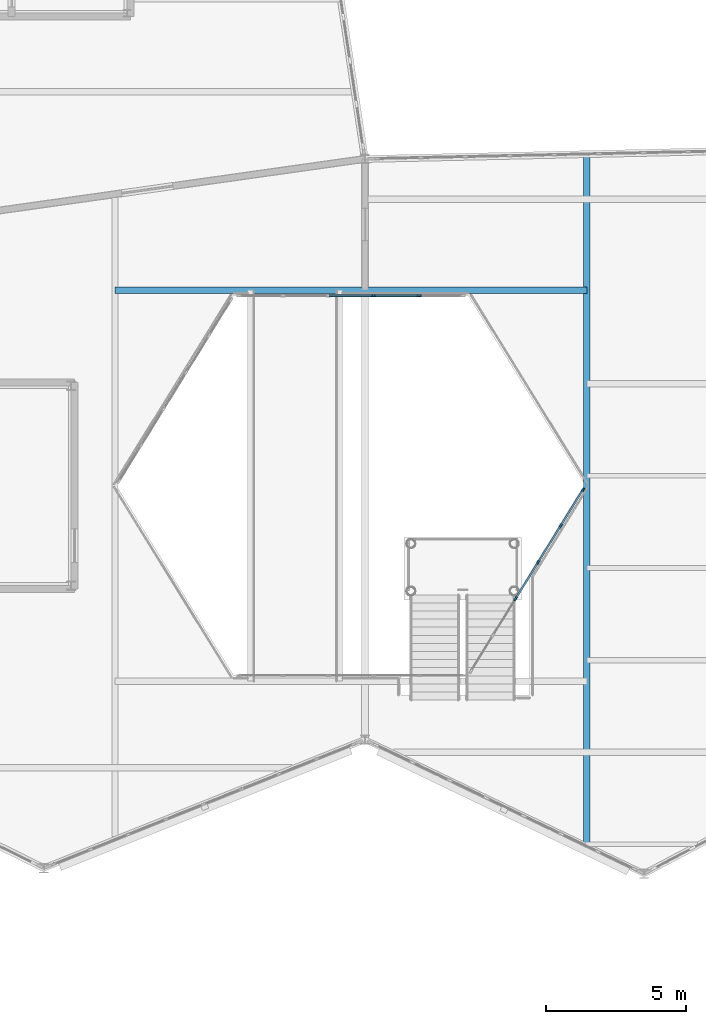
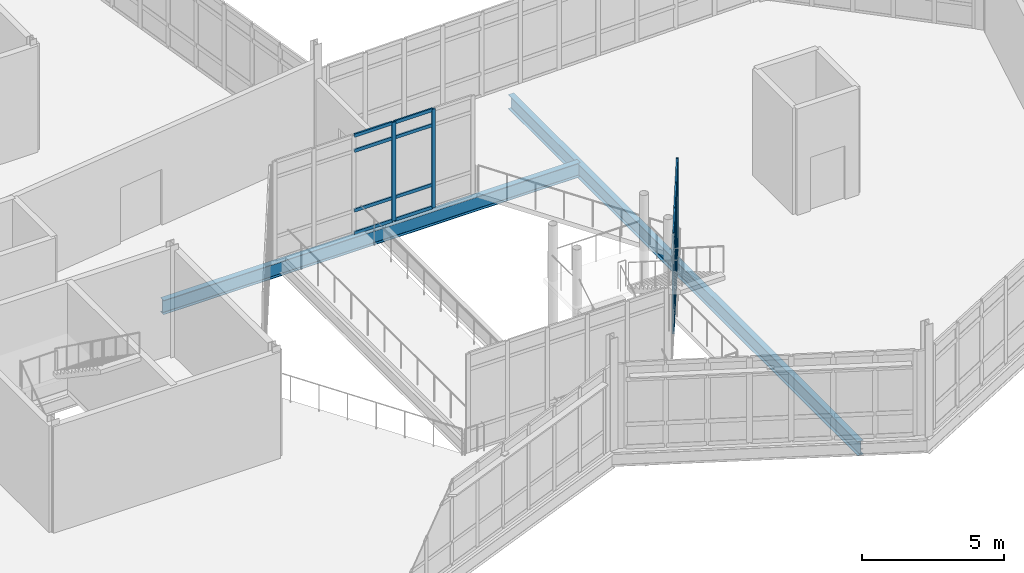
# One storey, part 35 of 114: 26 members, 2 beams, 2 elements without a shape of their own.
"""IFC4 building model written with IfcOpenShell, lengths in metres."""

import ifcopenshell
import ifcopenshell.guid

model = None  # the IFC model being written
_history = None  # IfcOwnerHistory: only IFC2X3 demands one
_inside = {}  # id of a spatial element -> (the spatial element, [elements in it])
_under = {}  # id of a project, library or spatial element -> (it, [spatial elements below it])
_declared = {}  # id of a project -> (the project, [libraries it declares])
_typed = {}  # id of a type object -> (the type object, [elements of that type])
_made_of = {}  # id of a material, layer set ... -> (it, [elements and type objects made of it])


def new_model(schema):
    """Start an empty IFC model of exactly this schema.

    Asked for "IFC4X3", IfcOpenShell would pick the latest addendum, in which some entities
    have other attributes; the version numbers below select the first issue.
    IFC2X3 requires an IfcOwnerHistory on every rooted entity: one is made here for all.
    """
    global model, _history
    if schema == "IFC4X3":
        model = ifcopenshell.file(schema_version=(4, 3, 0, 0))
    else:
        model = ifcopenshell.file(schema=schema)
    _inside.clear()
    _under.clear()
    _declared.clear()
    _typed.clear()
    _made_of.clear()
    _history = None
    if model.schema == "IFC2X3":
        org = make("IfcOrganization", Name="unknown")
        user = make(
            "IfcPersonAndOrganization",
            ThePerson=make("IfcPerson", FamilyName="unknown"),
            TheOrganization=org,
        )
        app = make(
            "IfcApplication",
            ApplicationDeveloper=org,
            Version="unknown",
            ApplicationFullName="unknown",
            ApplicationIdentifier="unknown",
        )
        _history = make(
            "IfcOwnerHistory",
            OwningUser=user,
            OwningApplication=app,
            ChangeAction="ADDED",
            CreationDate=0,
        )
    return model


def make(cls, **values):
    """One entity of the class cls with the attributes given. An attribute that is None is left unset."""
    return model.create_entity(
        cls, **{name: value for name, value in values.items() if value is not None}
    )


def rooted(cls, **values):
    """An entity with a GlobalId (a new one), such as an element, a storey or a relation."""
    return make(cls, GlobalId=ifcopenshell.guid.new(), OwnerHistory=_history, **values)


def si_unit(unit_type, name, prefix=None):
    """IfcSIUnit, for example si_unit("LENGTHUNIT", "METRE", prefix="MILLI")."""
    return make("IfcSIUnit", UnitType=unit_type, Prefix=prefix, Name=name)


def assignment(units):
    """IfcUnitAssignment: the units of a project."""
    return None if units is None else make("IfcUnitAssignment", Units=units)


def point(xyz):
    """IfcCartesianPoint."""
    return None if xyz is None else make("IfcCartesianPoint", Coordinates=xyz)


def direction(xyz):
    """IfcDirection."""
    return None if xyz is None else make("IfcDirection", DirectionRatios=xyz)


def frame(location, z_axis=None, x_axis=None):
    """IfcAxis2Placement3D, a coordinate frame: its origin and axes. An axis left out is left unset."""
    return make(
        "IfcAxis2Placement3D",
        Location=point(location),
        Axis=direction(z_axis),
        RefDirection=direction(x_axis),
    )


def frame_2d(location, x_axis=None):
    """IfcAxis2Placement2D, a coordinate frame in the plane: its origin and x axis."""
    return make(
        "IfcAxis2Placement2D", Location=point(location), RefDirection=direction(x_axis)
    )


def origin():
    """The frame at (0, 0, 0) with its axes left unset."""
    return frame((0.0, 0.0, 0.0))


def origin_2d():
    """The frame at (0, 0) in the plane with its x axis left unset."""
    return frame_2d((0.0, 0.0))


def place(relative_to, where):
    """IfcLocalPlacement: puts the frame where relative to a parent placement (None: the world)."""
    return make(
        "IfcLocalPlacement", PlacementRelTo=relative_to, RelativePlacement=where
    )


def context(
    kind, dimensions, precision=None, world=None, true_north=None, identifier=None
):
    """IfcGeometricRepresentationContext, for example the 3D "Model" context."""
    return make(
        "IfcGeometricRepresentationContext",
        ContextIdentifier=identifier,
        ContextType=kind,
        CoordinateSpaceDimension=dimensions,
        Precision=precision,
        WorldCoordinateSystem=world,
        TrueNorth=true_north,
    )


def subcontext(parent, identifier, kind, view, scale=None):
    """IfcGeometricRepresentationSubContext, for example "Body" below "Model"."""
    return make(
        "IfcGeometricRepresentationSubContext",
        ContextIdentifier=identifier,
        ContextType=kind,
        ParentContext=parent,
        TargetScale=scale,
        TargetView=view,
    )


def project(units=None, contexts=None):
    """IfcProject with its units and contexts."""
    return rooted(
        "IfcProject",
        Name="project",
        RepresentationContexts=contexts,
        UnitsInContext=assignment(units),
    )


def spatial(cls, under=None, at=None, **own):
    """A site, building, storey or space (cls), placed at a placement, below another one or the project."""
    s = rooted(cls, ObjectPlacement=at, **own)
    if under is not None:
        _under.setdefault(under.id(), (under, []))[1].append(s)
    return s


def profile(cls, at=None, kind="AREA", **sizes):
    """A parametric profile (cls). Its sizes go by their IFC names, for example OverallWidth=200.0."""
    return make(cls, ProfileType=kind, Position=at, **sizes)


def rectangle(**sizes):
    """IfcRectangleProfileDef."""
    return profile("IfcRectangleProfileDef", **sizes)


def i_section(**sizes):
    """IfcIShapeProfileDef."""
    return profile("IfcIShapeProfileDef", **sizes)


def extrude(swept, where, along, depth):
    """IfcExtrudedAreaSolid: the profile swept, set in the frame where, extruded along a direction by depth."""
    return make(
        "IfcExtrudedAreaSolid",
        SweptArea=swept,
        Position=where,
        ExtrudedDirection=direction(along),
        Depth=depth,
    )


def shape(context_of_items, identifier, shape_type, items):
    """IfcShapeRepresentation: the items that make up one representation, for example the "Body"."""
    return make(
        "IfcShapeRepresentation",
        ContextOfItems=context_of_items,
        RepresentationIdentifier=identifier,
        RepresentationType=shape_type,
        Items=items,
    )


def material(Name=None, Category=None):
    """IfcMaterial."""
    return make("IfcMaterial", Name=Name, Category=Category)


def material_profile(
    of_material, cross_section, Name=None, Category=None, Priority=None
):
    """IfcMaterialProfile: a cross section and its material."""
    return make(
        "IfcMaterialProfile",
        Name=Name,
        Material=of_material,
        Profile=cross_section,
        Priority=Priority,
        Category=Category,
    )


def profile_set(profiles, Name=None, composite=None):
    """IfcMaterialProfileSet."""
    return make(
        "IfcMaterialProfileSet",
        Name=Name,
        MaterialProfiles=profiles,
        CompositeProfile=composite,
    )


def made_of(thing, what):
    """Note that an element or type object is made of a material, layer set ...; save() writes the relation."""
    if what is not None:
        _made_of.setdefault(what.id(), (what, []))[1].append(thing)
    return thing


def type_object(cls, material=None, **own):
    """A type object (cls), such as IfcWallType, which elements share."""
    return made_of(rooted(cls, **own), material)


def element(
    cls,
    number,
    at=None,
    inside=None,
    cuts=None,
    type_object=None,
    material=None,
    context=None,
    identifier="Body",
    shape_type=None,
    held_by="IfcProductDefinitionShape",
    body=None,
    shapes=None,
    **own,
):
    """One element of the class cls, such as IfcWall. Its Tag is "e" and its number.

    at: its placement. inside: the storey or other place that contains it. cuts: it is an
    opening in that element (IfcRelVoidsElement). A single representation is given by context,
    identifier, shape_type and body (its items); several are given by shapes. held_by: the class
    of the entity that holds the representations. save() writes the other relations.
    """
    e = rooted(cls, Tag="e%d" % number, ObjectPlacement=at, **own)
    if body is not None:
        shapes = [shape(context, identifier, shape_type, body)]
    if shapes is not None:
        e.Representation = make(held_by, Representations=shapes)
    if inside is not None:
        _inside.setdefault(inside.id(), (inside, []))[1].append(e)
    if cuts is not None:
        rooted(
            "IfcRelVoidsElement", RelatingBuildingElement=cuts, RelatedOpeningElement=e
        )
    if type_object is not None:
        _typed.setdefault(type_object.id(), (type_object, []))[1].append(e)
    return made_of(e, material)


def aggregate(whole, parts):
    """IfcRelAggregates: a whole, such as a stair, and the parts it consists of."""
    return rooted("IfcRelAggregates", RelatingObject=whole, RelatedObjects=parts)


def save(model, path):
    """Write the relations noted so far, then the file.

    IfcRelAggregates (storeys below a building ...), IfcRelContainedInSpatialStructure (elements
    in a storey), IfcRelDefinesByType, IfcRelAssociatesMaterial and IfcRelDeclares: one each for
    every whole, place, type object, material and project.
    """
    for whole, parts in _under.values():
        aggregate(whole, parts)
    for where, things in _inside.values():
        rooted(
            "IfcRelContainedInSpatialStructure",
            RelatedElements=things,
            RelatingStructure=where,
        )
    for kind, things in _typed.values():
        rooted("IfcRelDefinesByType", RelatedObjects=things, RelatingType=kind)
    for what, things in _made_of.values():
        rooted("IfcRelAssociatesMaterial", RelatedObjects=things, RelatingMaterial=what)
    for by, libraries in _declared.values():
        rooted("IfcRelDeclares", RelatingContext=by, RelatedDefinitions=libraries)
    model.write(path)


model = new_model("IFC4")

# Units and contexts
model_context = context("Model", 3, precision=1e-05, world=origin(), true_north=direction((0.0, 1.0)))
body_context = subcontext(model_context, "Body", "Model", "MODEL_VIEW")
ifc_project = project(units=[si_unit("LENGTHUNIT", "METRE"), si_unit("AREAUNIT", "SQUARE_METRE"), si_unit("VOLUMEUNIT", "CUBIC_METRE"), si_unit("PLANEANGLEUNIT", "RADIAN"), si_unit("MASSUNIT", "GRAM", prefix="KILO")], contexts=[model_context])

# Site, building, storey
site_placement = place(None, origin())
site = spatial("IfcSite", under=ifc_project, at=site_placement, CompositionType="ELEMENT")
building_placement = place(site_placement, origin())
building = spatial("IfcBuilding", under=site, at=building_placement, Name="Tameran Prism Museum", CompositionType="ELEMENT")
storey_placement = place(building_placement, frame((0.0, 0.0, 10.199951171875)))
storey = spatial("IfcBuildingStorey", under=building, at=storey_placement, Name="L02", CompositionType="ELEMENT", Elevation=10.199951171875)

# Beams
ifc_material_1 = material(Name="Steel Grade 300PLUS (300 MPa)", Category="steel")
ifc_material_profile_1 = material_profile(ifc_material_1, i_section(OverallWidth=0.22900390625, OverallDepth=0.612060546875, WebThickness=0.011962890625, FlangeThickness=0.01953125, FilletRadius=0.013916015625, at=origin_2d()))
ifc_profile_set_1 = profile_set([ifc_material_profile_1])
beam_type = type_object("IfcBeamType", Name="BM-UB610A", PredefinedType="BEAM", material=ifc_profile_set_1)
beam_1_placement = place(storey_placement, frame((68.550048828125, 43.5, -0.5458984375), z_axis=(1.0, 0.0, 0.0), x_axis=(0.0, 1.0, 0.0)))
element("IfcBeam", 1, at=beam_1_placement, inside=storey, type_object=beam_type, Name="Atrium Transverse Trimmer ATE-0806", PredefinedType="BEAM", context=body_context, shape_type="SweptSolid", body=[
    extrude(i_section(OverallWidth=0.22900390625, OverallDepth=0.612060546875, WebThickness=0.011962890625, FlangeThickness=0.01953125, FilletRadius=0.013916015625, at=origin_2d()), origin(), (0.0, 0.0, 1.0), 16.89990234375),
])
beam_2_placement = place(storey_placement, frame((85.449951171875, 23.7060546875, -0.5458984375), z_axis=(0.0, 1.0, 0.0), x_axis=(-1.0, 0.0, 0.0)))
element("IfcBeam", 2, at=beam_2_placement, inside=storey, type_object=beam_type, Name="Atrium Opening Trimmer Girder AT-0808", PredefinedType="BEAM", context=body_context, shape_type="SweptSolid", body=[
    extrude(i_section(OverallWidth=0.22900390625, OverallDepth=0.612060546875, WebThickness=0.011962890625, FlangeThickness=0.01953125, FilletRadius=0.013916015625, at=origin_2d()), origin(), (0.0, 0.0, 1.0), 24.557861328125),
])

# Curtain wall, members
ifc_material_2 = material(Name="Anodised Aluminium 6063-T6 and Cyclone Solar Glass", Category="aluminium")
curtain_wall_type_1 = type_object("IfcCurtainWallType", Name="CW-ATR-769x424", PredefinedType="USERDEFINED", material=ifc_material_2)
curtain_wall_1_placement = place(storey_placement, origin())
curtain_wall_1 = element("IfcCurtainWall", 3, at=curtain_wall_1_placement, inside=storey, type_object=curtain_wall_type_1, Name="Unitised Curtain Wall CW-008", ObjectType="UNITISED CURTAIN WALL", PredefinedType="USERDEFINED")
ifc_material_3 = material(Name="Anodised Aluminium Alloy 6063-T6", Category="aluminium")
ifc_material_profile_2 = material_profile(ifc_material_3, rectangle(XDim=0.06494140625, YDim=0.159912109375, at=origin_2d()))
ifc_profile_set_2 = profile_set([ifc_material_profile_2])
member_type_1 = type_object("IfcMemberType", Name="CW-MUL-A", PredefinedType="MULLION", material=ifc_profile_set_2)
member_1_placement = place(storey_placement, frame((82.895751953125, 32.445556640625, 0.0), z_axis=(0.0, 0.0, 1.0), x_axis=(-0.850791158897, 0.525503952357, 0.0)))
member_1 = element("IfcMember", 4, at=member_1_placement, type_object=member_type_1, Name="CW-008 mullion 3", PredefinedType="MULLION", context=body_context, shape_type="SweptSolid", body=[
    extrude(rectangle(XDim=0.06494140625, YDim=0.159912109375, at=origin_2d()), origin(), (0.0, 0.0, 1.0), 4.239990234375),
])
member_2_placement = place(storey_placement, frame((83.7041015625, 33.75439453125, 0.0), z_axis=(0.0, 0.0, 1.0), x_axis=(-0.850791158897, 0.525503952357, 0.0)))
member_2 = element("IfcMember", 5, at=member_2_placement, type_object=member_type_1, Name="CW-008 mullion 4", PredefinedType="MULLION", context=body_context, shape_type="SweptSolid", body=[
    extrude(rectangle(XDim=0.06494140625, YDim=0.159912109375, at=origin_2d()), origin(), (0.0, 0.0, 1.0), 4.239990234375),
])
member_3_placement = place(storey_placement, frame((84.5126953125, 35.063232421875, 0.0), z_axis=(0.0, 0.0, 1.0), x_axis=(-0.850791158897, 0.525503952357, 0.0)))
member_3 = element("IfcMember", 6, at=member_3_placement, type_object=member_type_1, Name="CW-008 mullion 5", PredefinedType="MULLION", context=body_context, shape_type="SweptSolid", body=[
    extrude(rectangle(XDim=0.06494140625, YDim=0.159912109375, at=origin_2d()), origin(), (0.0, 0.0, 1.0), 4.239990234375),
])
member_4_placement = place(storey_placement, frame((85.303955078125, 36.34423828125, 0.0), z_axis=(0.0, 0.0, 1.0), x_axis=(-0.850791158897, 0.525503952357, 0.0)))
member_4 = element("IfcMember", 7, at=member_4_placement, type_object=member_type_1, Name="CW-008 mullion 6", PredefinedType="MULLION", context=body_context, shape_type="SweptSolid", body=[
    extrude(rectangle(XDim=0.06494140625, YDim=0.159912109375, at=origin_2d()), origin(), (0.0, 0.0, 1.0), 4.239990234375),
])

ifc_material_4 = material(Name="Anodised Aluminium 6063-T6 and Cyclone Solar Glass", Category="aluminium")
curtain_wall_type_2 = type_object("IfcCurtainWallType", Name="CW-ATR-810x424", PredefinedType="USERDEFINED", material=ifc_material_4)
curtain_wall_2_placement = place(storey_placement, origin())
curtain_wall_2 = element("IfcCurtainWall", 8, at=curtain_wall_2_placement, inside=storey, type_object=curtain_wall_type_2, Name="Unitised Curtain Wall CW-009", ObjectType="UNITISED CURTAIN WALL", PredefinedType="USERDEFINED")
member_5_placement = place(storey_placement, frame((79.429931640625, 43.300048828125, 0.0), z_axis=(0.0, 0.0, 1.0), x_axis=(0.0, -1.0, 0.0)))
member_5 = element("IfcMember", 9, at=member_5_placement, type_object=member_type_1, Name="CW-009 mullion 2", PredefinedType="MULLION", context=body_context, shape_type="SweptSolid", body=[
    extrude(rectangle(XDim=0.06494140625, YDim=0.159912109375, at=origin_2d()), origin(), (0.0, 0.0, 1.0), 4.239990234375),
])
member_6_placement = place(storey_placement, frame((77.81005859375, 43.300048828125, 0.0), z_axis=(0.0, 0.0, 1.0), x_axis=(0.0, -1.0, 0.0)))
member_6 = element("IfcMember", 10, at=member_6_placement, type_object=member_type_1, Name="CW-009 mullion 3", PredefinedType="MULLION", context=body_context, shape_type="SweptSolid", body=[
    extrude(rectangle(XDim=0.06494140625, YDim=0.159912109375, at=origin_2d()), origin(), (0.0, 0.0, 1.0), 4.239990234375),
])

# Member
ifc_material_5 = material(Name="Anodised Aluminium Alloy 6063-T6", Category="aluminium")
ifc_material_profile_3 = material_profile(ifc_material_5, rectangle(XDim=0.06494140625, YDim=0.139892578125, at=origin_2d()))
ifc_profile_set_3 = profile_set([ifc_material_profile_3])
member_type_2 = type_object("IfcMemberType", Name="CW-TRN-A", PredefinedType="USERDEFINED", material=ifc_profile_set_3)
member_7_placement = place(storey_placement, frame((82.912841796875, 32.47314453125, 0.032470703125), z_axis=(0.525418798442, 0.850843749606, 0.0), x_axis=(-0.850843749606, 0.525418798442, 0.0)))
member_7 = element("IfcMember", 11, at=member_7_placement, type_object=member_type_2, Name="CW-008 transom 3.1", ObjectType="TRANSOM", PredefinedType="USERDEFINED", context=body_context, shape_type="SweptSolid", body=[
    extrude(rectangle(XDim=0.06494140625, YDim=0.139892578125, at=origin_2d()), origin(), (0.0, 0.0, 1.0), 1.473388671875),
])

member_8_placement = place(storey_placement, frame((82.912841796875, 32.47314453125, 1.0), z_axis=(0.525418798442, 0.850843749606, 0.0), x_axis=(-0.850843749606, 0.525418798442, 0.0)))
member_8 = element("IfcMember", 12, at=member_8_placement, type_object=member_type_2, Name="CW-008 transom 3.2", ObjectType="TRANSOM", PredefinedType="USERDEFINED", context=body_context, shape_type="SweptSolid", body=[
    extrude(rectangle(XDim=0.06494140625, YDim=0.139892578125, at=origin_2d()), origin(), (0.0, 0.0, 1.0), 1.473388671875),
])

member_9_placement = place(storey_placement, frame((82.912841796875, 32.47314453125, 3.56005859375), z_axis=(0.525418798442, 0.850843749606, 0.0), x_axis=(-0.850843749606, 0.525418798442, 0.0)))
member_9 = element("IfcMember", 13, at=member_9_placement, type_object=member_type_2, Name="CW-008 transom 3.3", ObjectType="TRANSOM", PredefinedType="USERDEFINED", context=body_context, shape_type="SweptSolid", body=[
    extrude(rectangle(XDim=0.06494140625, YDim=0.139892578125, at=origin_2d()), origin(), (0.0, 0.0, 1.0), 1.473388671875),
])

member_10_placement = place(storey_placement, frame((82.912841796875, 32.47314453125, 4.20751953125), z_axis=(0.525418798442, 0.850843749606, 0.0), x_axis=(-0.850843749606, 0.525418798442, 0.0)))
member_10 = element("IfcMember", 14, at=member_10_placement, type_object=member_type_2, Name="CW-008 transom 3.4", ObjectType="TRANSOM", PredefinedType="USERDEFINED", context=body_context, shape_type="SweptSolid", body=[
    extrude(rectangle(XDim=0.06494140625, YDim=0.139892578125, at=origin_2d()), origin(), (0.0, 0.0, 1.0), 1.473388671875),
])

member_11_placement = place(storey_placement, frame((83.72119140625, 33.781982421875, 0.032470703125), z_axis=(0.525538735192, 0.850769673774, 0.0), x_axis=(-0.850769673774, 0.525538735192, 0.0)))
member_11 = element("IfcMember", 15, at=member_11_placement, type_object=member_type_2, Name="CW-008 transom 4.1", ObjectType="TRANSOM", PredefinedType="USERDEFINED", context=body_context, shape_type="SweptSolid", body=[
    extrude(rectangle(XDim=0.06494140625, YDim=0.139892578125, at=origin_2d()), origin(), (0.0, 0.0, 1.0), 1.4736328125),
])

member_12_placement = place(storey_placement, frame((83.72119140625, 33.781982421875, 1.0), z_axis=(0.525538735192, 0.850769673774, 0.0), x_axis=(-0.850769673774, 0.525538735192, 0.0)))
member_12 = element("IfcMember", 16, at=member_12_placement, type_object=member_type_2, Name="CW-008 transom 4.2", ObjectType="TRANSOM", PredefinedType="USERDEFINED", context=body_context, shape_type="SweptSolid", body=[
    extrude(rectangle(XDim=0.06494140625, YDim=0.139892578125, at=origin_2d()), origin(), (0.0, 0.0, 1.0), 1.4736328125),
])

member_13_placement = place(storey_placement, frame((83.72119140625, 33.781982421875, 3.56005859375), z_axis=(0.525538735192, 0.850769673774, 0.0), x_axis=(-0.850769673774, 0.525538735192, 0.0)))
member_13 = element("IfcMember", 17, at=member_13_placement, type_object=member_type_2, Name="CW-008 transom 4.3", ObjectType="TRANSOM", PredefinedType="USERDEFINED", context=body_context, shape_type="SweptSolid", body=[
    extrude(rectangle(XDim=0.06494140625, YDim=0.139892578125, at=origin_2d()), origin(), (0.0, 0.0, 1.0), 1.4736328125),
])

member_14_placement = place(storey_placement, frame((83.72119140625, 33.781982421875, 4.20751953125), z_axis=(0.525538735192, 0.850769673774, 0.0), x_axis=(-0.850769673774, 0.525538735192, 0.0)))
member_14 = element("IfcMember", 18, at=member_14_placement, type_object=member_type_2, Name="CW-008 transom 4.4", ObjectType="TRANSOM", PredefinedType="USERDEFINED", context=body_context, shape_type="SweptSolid", body=[
    extrude(rectangle(XDim=0.06494140625, YDim=0.139892578125, at=origin_2d()), origin(), (0.0, 0.0, 1.0), 1.4736328125),
])

member_15_placement = place(storey_placement, frame((84.52978515625, 35.0908203125, 0.032470703125), z_axis=(0.525467627301, 0.850813594543, 0.0), x_axis=(-0.850813594543, 0.525467627301, 0.0)))
member_15 = element("IfcMember", 19, at=member_15_placement, type_object=member_type_2, Name="CW-008 transom 5.1", ObjectType="TRANSOM", PredefinedType="USERDEFINED", context=body_context, shape_type="SweptSolid", body=[
    extrude(rectangle(XDim=0.06494140625, YDim=0.139892578125, at=origin_2d()), origin(), (0.0, 0.0, 1.0), 1.440673828125),
])

member_16_placement = place(storey_placement, frame((84.52978515625, 35.0908203125, 1.0), z_axis=(0.525467627301, 0.850813594543, 0.0), x_axis=(-0.850813594543, 0.525467627301, 0.0)))
member_16 = element("IfcMember", 20, at=member_16_placement, type_object=member_type_2, Name="CW-008 transom 5.2", ObjectType="TRANSOM", PredefinedType="USERDEFINED", context=body_context, shape_type="SweptSolid", body=[
    extrude(rectangle(XDim=0.06494140625, YDim=0.139892578125, at=origin_2d()), origin(), (0.0, 0.0, 1.0), 1.440673828125),
])

member_17_placement = place(storey_placement, frame((84.52978515625, 35.0908203125, 3.56005859375), z_axis=(0.525467627301, 0.850813594543, 0.0), x_axis=(-0.850813594543, 0.525467627301, 0.0)))
member_17 = element("IfcMember", 21, at=member_17_placement, type_object=member_type_2, Name="CW-008 transom 5.3", ObjectType="TRANSOM", PredefinedType="USERDEFINED", context=body_context, shape_type="SweptSolid", body=[
    extrude(rectangle(XDim=0.06494140625, YDim=0.139892578125, at=origin_2d()), origin(), (0.0, 0.0, 1.0), 1.440673828125),
])

member_18_placement = place(storey_placement, frame((84.52978515625, 35.0908203125, 4.20751953125), z_axis=(0.525467627301, 0.850813594543, 0.0), x_axis=(-0.850813594543, 0.525467627301, 0.0)))
member_18 = element("IfcMember", 22, at=member_18_placement, type_object=member_type_2, Name="CW-008 transom 5.4", ObjectType="TRANSOM", PredefinedType="USERDEFINED", context=body_context, shape_type="SweptSolid", body=[
    extrude(rectangle(XDim=0.06494140625, YDim=0.139892578125, at=origin_2d()), origin(), (0.0, 0.0, 1.0), 1.440673828125),
])

aggregate(curtain_wall_1, [member_1, member_2, member_3, member_4, member_7, member_8, member_9, member_10, member_11, member_12, member_13, member_14, member_15, member_16, member_17, member_18])

member_19_placement = place(storey_placement, frame((79.3974609375, 43.300048828125, 0.032470703125), z_axis=(-1.0, 0.0, 0.0), x_axis=(0.0, -1.0, 0.0)))
member_19 = element("IfcMember", 23, at=member_19_placement, type_object=member_type_2, Name="CW-009 transom 2.1", ObjectType="TRANSOM", PredefinedType="USERDEFINED", context=body_context, shape_type="SweptSolid", body=[
    extrude(rectangle(XDim=0.06494140625, YDim=0.139892578125, at=origin_2d()), origin(), (0.0, 0.0, 1.0), 1.554931640625),
])

member_20_placement = place(storey_placement, frame((79.3974609375, 43.300048828125, 1.0), z_axis=(-1.0, 0.0, 0.0), x_axis=(0.0, -1.0, 0.0)))
member_20 = element("IfcMember", 24, at=member_20_placement, type_object=member_type_2, Name="CW-009 transom 2.2", ObjectType="TRANSOM", PredefinedType="USERDEFINED", context=body_context, shape_type="SweptSolid", body=[
    extrude(rectangle(XDim=0.06494140625, YDim=0.139892578125, at=origin_2d()), origin(), (0.0, 0.0, 1.0), 1.554931640625),
])

member_21_placement = place(storey_placement, frame((79.3974609375, 43.300048828125, 3.56005859375), z_axis=(-1.0, 0.0, 0.0), x_axis=(0.0, -1.0, 0.0)))
member_21 = element("IfcMember", 25, at=member_21_placement, type_object=member_type_2, Name="CW-009 transom 2.3", ObjectType="TRANSOM", PredefinedType="USERDEFINED", context=body_context, shape_type="SweptSolid", body=[
    extrude(rectangle(XDim=0.06494140625, YDim=0.139892578125, at=origin_2d()), origin(), (0.0, 0.0, 1.0), 1.554931640625),
])

member_22_placement = place(storey_placement, frame((79.3974609375, 43.300048828125, 4.20751953125), z_axis=(-1.0, 0.0, 0.0), x_axis=(0.0, -1.0, 0.0)))
member_22 = element("IfcMember", 26, at=member_22_placement, type_object=member_type_2, Name="CW-009 transom 2.4", ObjectType="TRANSOM", PredefinedType="USERDEFINED", context=body_context, shape_type="SweptSolid", body=[
    extrude(rectangle(XDim=0.06494140625, YDim=0.139892578125, at=origin_2d()), origin(), (0.0, 0.0, 1.0), 1.554931640625),
])

member_23_placement = place(storey_placement, frame((77.777587890625, 43.300048828125, 0.032470703125), z_axis=(-1.0, 0.0, 0.0), x_axis=(0.0, -1.0, 0.0)))
member_23 = element("IfcMember", 27, at=member_23_placement, type_object=member_type_2, Name="CW-009 transom 3.1", ObjectType="TRANSOM", PredefinedType="USERDEFINED", context=body_context, shape_type="SweptSolid", body=[
    extrude(rectangle(XDim=0.06494140625, YDim=0.139892578125, at=origin_2d()), origin(), (0.0, 0.0, 1.0), 1.55517578125),
])

member_24_placement = place(storey_placement, frame((77.777587890625, 43.300048828125, 1.0), z_axis=(-1.0, 0.0, 0.0), x_axis=(0.0, -1.0, 0.0)))
member_24 = element("IfcMember", 28, at=member_24_placement, type_object=member_type_2, Name="CW-009 transom 3.2", ObjectType="TRANSOM", PredefinedType="USERDEFINED", context=body_context, shape_type="SweptSolid", body=[
    extrude(rectangle(XDim=0.06494140625, YDim=0.139892578125, at=origin_2d()), origin(), (0.0, 0.0, 1.0), 1.55517578125),
])

member_25_placement = place(storey_placement, frame((77.777587890625, 43.300048828125, 3.56005859375), z_axis=(-1.0, 0.0, 0.0), x_axis=(0.0, -1.0, 0.0)))
member_25 = element("IfcMember", 29, at=member_25_placement, type_object=member_type_2, Name="CW-009 transom 3.3", ObjectType="TRANSOM", PredefinedType="USERDEFINED", context=body_context, shape_type="SweptSolid", body=[
    extrude(rectangle(XDim=0.06494140625, YDim=0.139892578125, at=origin_2d()), origin(), (0.0, 0.0, 1.0), 1.55517578125),
])

member_26_placement = place(storey_placement, frame((77.777587890625, 43.300048828125, 4.20751953125), z_axis=(-1.0, 0.0, 0.0), x_axis=(0.0, -1.0, 0.0)))
member_26 = element("IfcMember", 30, at=member_26_placement, type_object=member_type_2, Name="CW-009 transom 3.4", ObjectType="TRANSOM", PredefinedType="USERDEFINED", context=body_context, shape_type="SweptSolid", body=[
    extrude(rectangle(XDim=0.06494140625, YDim=0.139892578125, at=origin_2d()), origin(), (0.0, 0.0, 1.0), 1.55517578125),
])

aggregate(curtain_wall_2, [member_5, member_6, member_19, member_20, member_21, member_22, member_23, member_24, member_25, member_26])

save(model, "model.ifc")
